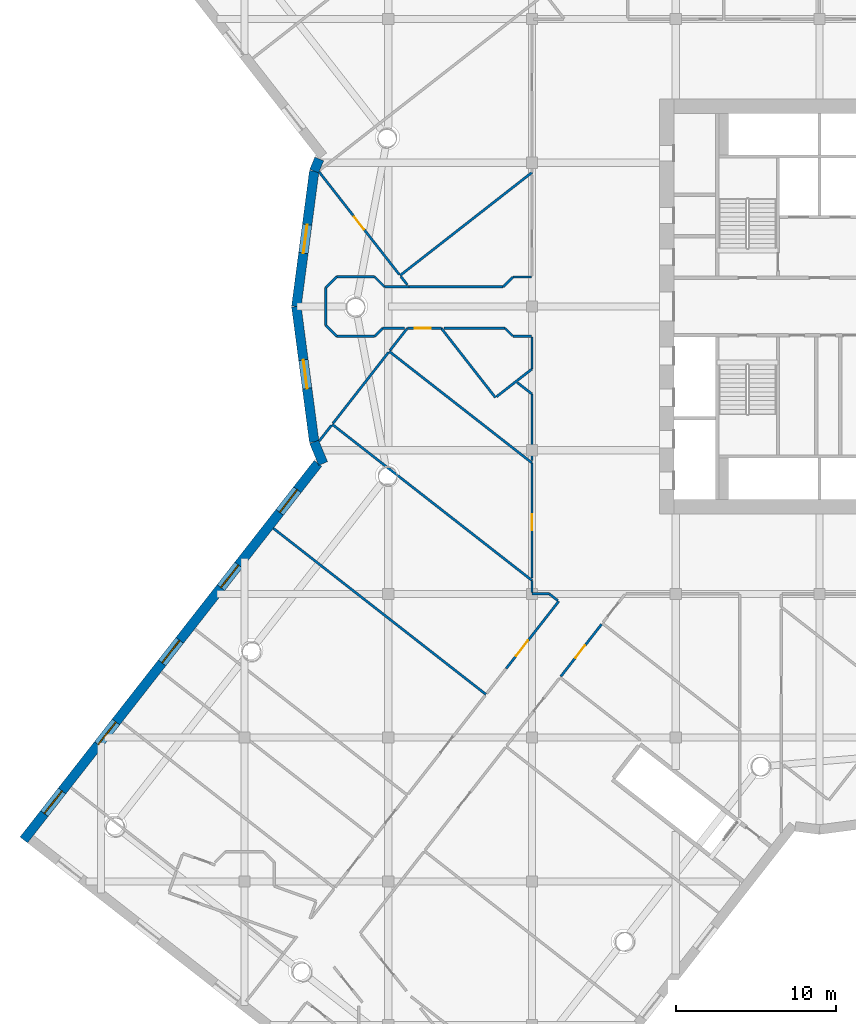
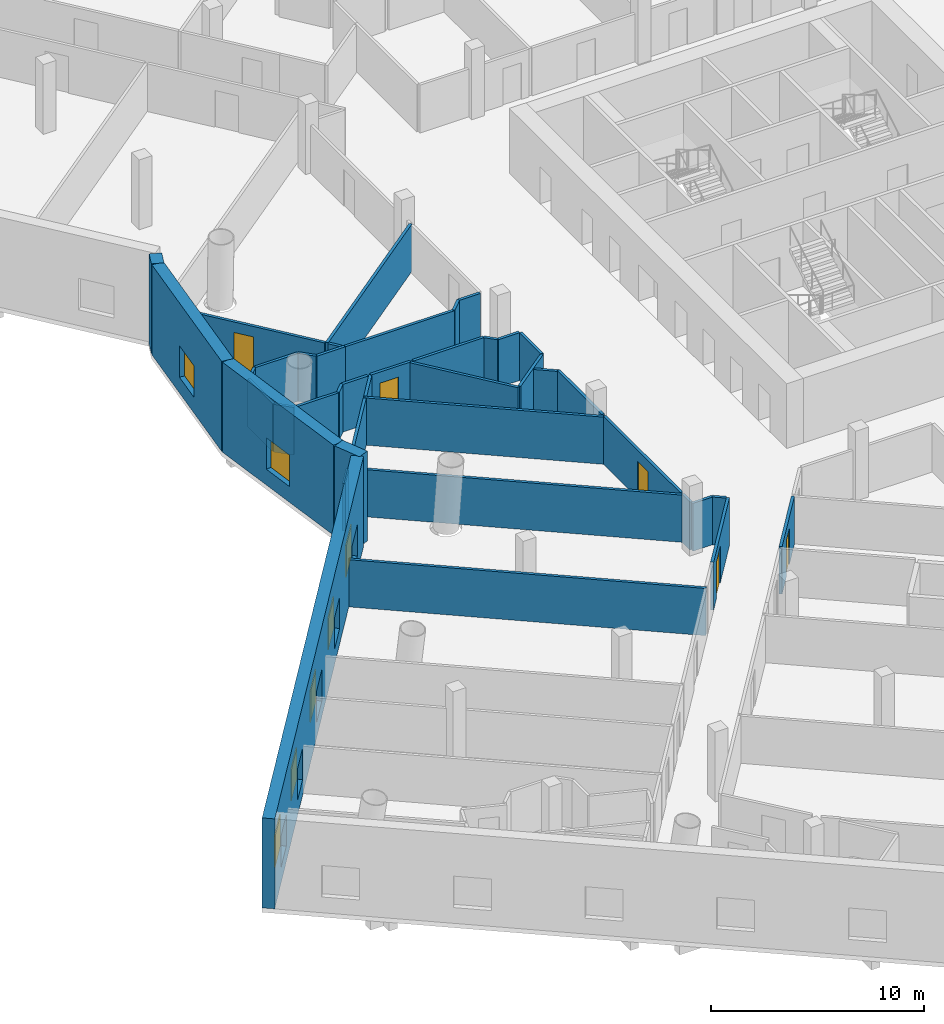
# One storey, part 6 of 15: 41 walls, 7 windows, 5 doors, 12 openings.
"""IFC4 building model written with IfcOpenShell, lengths in metres."""

from ifc_helpers import new_model, si_unit, direction, frame, frame_2d, origin, place, context, subcontext, project, spatial, rectangle, extrude, material, layer, layer_set, type_object, element, fill, save


model = new_model("IFC4")

# Units and contexts
model_context = context("Model", 3, precision=1e-05, world=origin(), true_north=direction((0.0, 1.0)))
body_context = subcontext(model_context, "Body", "Model", "MODEL_VIEW")
ifc_project = project(units=[si_unit("LENGTHUNIT", "METRE"), si_unit("AREAUNIT", "SQUARE_METRE"), si_unit("VOLUMEUNIT", "CUBIC_METRE"), si_unit("PLANEANGLEUNIT", "RADIAN"), si_unit("MASSUNIT", "GRAM", prefix="KILO")], contexts=[model_context])

# Site, building, storey
site_placement = place(None, origin())
site = spatial("IfcSite", under=ifc_project, at=site_placement, CompositionType="ELEMENT")
building_placement = place(site_placement, origin())
building = spatial("IfcBuilding", under=site, at=building_placement, Name="Tarsis Ring Headquarters", CompositionType="ELEMENT")
storey_placement = place(building_placement, frame((0.0, 0.0, 30.0)))
storey = spatial("IfcBuildingStorey", under=building, at=storey_placement, Name="L05", CompositionType="ELEMENT", Elevation=30.0)

# Walls
ifc_material_1 = material(Name="Plasterboard partition")
ifc_layer_1 = layer(ifc_material_1, 0.14990234375)
ifc_layer_set_1 = layer_set([ifc_layer_1], Name="PO-PW150")
wall_type_1 = type_object("IfcWallType", Name="PO-PW150", PredefinedType="PARTITIONING", material=ifc_layer_set_1)
wall_1_placement = place(storey_placement, frame((-34.20068359375, -13.88818359375, 0.0), z_axis=(0.0, 0.0, 1.0), x_axis=(0.788007728406, -0.615665347386, 0.0)))
element("IfcWall", 1, at=wall_1_placement, inside=storey, type_object=wall_type_1, Name="L05 partition wall 12", PredefinedType="PARTITIONING", context=body_context, shape_type="SweptSolid", body=[
    extrude(rectangle(XDim=16.900146484375, YDim=0.14990234375, at=frame_2d((8.4501953125, 0.0))), origin(), (0.0, 0.0, 1.0), 2.699951171875),
])
wall_2_placement = place(storey_placement, frame((-30.511474609375, -7.379638671875, 0.0), z_axis=(0.0, 0.0, 1.0), x_axis=(0.788007355599, -0.615665824552, 0.0)))
element("IfcWall", 2, at=wall_2_placement, inside=storey, type_object=wall_type_1, Name="L05 partition wall 14", PredefinedType="PARTITIONING", context=body_context, shape_type="SweptSolid", body=[
    extrude(rectangle(XDim=15.87744140625, YDim=0.14990234375, at=frame_2d((7.938720703125, 0.0))), origin(), (0.0, 0.0, 1.0), 2.699951171875),
])
wall_3_placement = place(storey_placement, frame((-18.0, -9.79443359375, 0.0), z_axis=(0.0, 0.0, 1.0), x_axis=(-0.788005126022, 0.615668678238, 0.0)))
element("IfcWall", 3, at=wall_3_placement, inside=storey, type_object=wall_type_1, Name="L05 partition wall 19", PredefinedType="PARTITIONING", context=body_context, shape_type="SweptSolid", body=[
    extrude(rectangle(XDim=11.345947265625, YDim=0.14990234375, at=frame_2d((5.6728515625, 0.0))), origin(), (0.0, 0.0, 1.0), 2.699951171875),
])
wall_4_placement = place(storey_placement, frame((-18.0, 8.3984375, 0.0), z_axis=(0.0, 0.0, 1.0), x_axis=(-0.788012725718, -0.61565895113, 0.0)))
element("IfcWall", 4, at=wall_4_placement, inside=storey, type_object=wall_type_1, Name="L05 partition wall 23", PredefinedType="PARTITIONING", context=body_context, shape_type="SweptSolid", body=[
    extrude(rectangle(XDim=10.486328125, YDim=0.14990234375, at=frame_2d((5.2431640625, 0.0))), origin(), (0.0, 0.0, 1.0), 2.699951171875),
])

# Wall, opening, door
wall_5_placement = place(storey_placement, frame((-31.335205078125, 8.43408203125, 0.0), z_axis=(0.0, 0.0, 1.0), x_axis=(0.615646364942, -0.788022558899, 0.0)))
wall_5 = element("IfcWall", 5, at=wall_5_placement, inside=storey, type_object=wall_type_1, Name="L05 partition wall 44", PredefinedType="PARTITIONING", context=body_context, shape_type="SweptSolid", body=[
    extrude(rectangle(XDim=8.157958984375, YDim=0.14990234375, at=frame_2d((4.0791015625, 0.0))), origin(), (0.0, 0.0, 1.0), 2.699951171875),
])
opening_1_placement = place(wall_5_placement, frame((3.56787109375, 0.0, 0.0)))
opening_1 = element("IfcOpeningElement", 6, at=opening_1_placement, cuts=wall_5, Name="Opening PO-D1A", PredefinedType="OPENING", context=body_context, shape_type="SweptSolid", body=[
    extrude(rectangle(XDim=1.0, YDim=2.10009765625, at=frame_2d((0.5, 1.050048828125))), frame((0.0, 0.0849609375, 0.0), z_axis=(0.0, -1.0, 0.0), x_axis=(1.0, 0.0, 0.0)), (0.0, 0.0, 1.0), 0.169921875),
])
ifc_material_2 = material(Name="Timber door", Category="wood")
door_type_1 = type_object("IfcDoorType", Name="PO-D1000-UNRATED", OperationType="NOTDEFINED", PredefinedType="DOOR", material=ifc_material_2)
door_1_placement = place(opening_1_placement, origin())
door_1 = element("IfcDoor", 7, at=door_1_placement, inside=storey, type_object=door_type_1, Name="Meeting room door", OperationType="SINGLE_SWING_RIGHT", OverallHeight=2.10009765625, OverallWidth=1.0, PredefinedType="DOOR", context=body_context, shape_type="SweptSolid", body=[
    extrude(rectangle(XDim=1.0, YDim=2.10009765625, at=frame_2d((0.5, 1.050048828125))), frame((0.0, 0.02490234375, 0.0), z_axis=(0.0, -1.0, 0.0), x_axis=(1.0, 0.0, 0.0)), (0.0, 0.0, 1.0), 0.050048828125),
])
fill(opening_1, door_1)

# Walls
wall_6_placement = place(storey_placement, frame((-26.989990234375, -2.872314453125, 0.0), z_axis=(0.0, 0.0, 1.0), x_axis=(-0.615647402132, -0.788021748588, 0.0)))
element("IfcWall", 8, at=wall_6_placement, inside=storey, type_object=wall_type_1, Name="L05 partition wall 65", PredefinedType="PARTITIONING", context=body_context, shape_type="SweptSolid", body=[
    extrude(rectangle(XDim=5.639892578125, YDim=0.14990234375, at=frame_2d((2.81982421875, 0.0))), origin(), (0.0, 0.0, 1.0), 2.699951171875),
])
wall_7_placement = place(storey_placement, frame((-23.6796875, -1.36474609375, 0.0), z_axis=(0.0, 0.0, 1.0), x_axis=(0.615662120384, -0.788010249631, 0.0)))
element("IfcWall", 9, at=wall_7_placement, inside=storey, type_object=wall_type_1, Name="L05 partition wall 66", PredefinedType="PARTITIONING", context=body_context, shape_type="SweptSolid", body=[
    extrude(rectangle(XDim=5.50341796875, YDim=0.14990234375, at=frame_2d((2.751708984375, 0.0))), origin(), (0.0, 0.0, 1.0), 2.699951171875),
])
wall_8_placement = place(storey_placement, frame((-20.228515625, -5.652099609375, 0.0), z_axis=(0.0, 0.0, 1.0), x_axis=(0.787992962022, 0.615684246838, 0.0)))
element("IfcWall", 10, at=wall_8_placement, inside=storey, type_object=wall_type_1, Name="L05 partition wall 105", PredefinedType="PARTITIONING", context=body_context, shape_type="SweptSolid", body=[
    extrude(rectangle(XDim=2.828125, YDim=0.14990234375, at=frame_2d((1.4140625, 0.0))), origin(), (0.0, 0.0, 1.0), 2.699951171875),
])
wall_9_placement = place(storey_placement, frame((-25.81201171875, -1.36474609375, 0.0), z_axis=(0.0, 0.0, 1.0), x_axis=(-0.615703497236, -0.787977920688, 0.0)))
element("IfcWall", 11, at=wall_9_placement, inside=storey, type_object=wall_type_1, Name="L05 partition wall 146", PredefinedType="PARTITIONING", context=body_context, shape_type="SweptSolid", body=[
    extrude(rectangle(XDim=1.7529296875, YDim=0.14990234375, at=frame_2d((0.87646484375, 0.0))), origin(), (0.0, 0.0, 1.0), 2.699951171875),
])
wall_10_placement = place(storey_placement, frame((-30.560791015625, -7.442626953125, 0.0), z_axis=(0.0, 0.0, 1.0), x_axis=(-0.615564954745, -0.788086154231, 0.0)))
element("IfcWall", 12, at=wall_10_placement, inside=storey, type_object=wall_type_1, Name="L05 partition wall 155", PredefinedType="PARTITIONING", context=body_context, shape_type="SweptSolid", body=[
    extrude(rectangle(XDim=1.258056640625, YDim=0.14990234375, at=frame_2d((0.62890625, 0.0))), origin(), (0.0, 0.0, 1.0), 2.699951171875),
])
wall_11_placement = place(storey_placement, frame((-18.0, -5.479736328125, 0.0), z_axis=(0.0, 0.0, 1.0), x_axis=(-0.788071745388, 0.615583401433, 0.0)))
element("IfcWall", 13, at=wall_11_placement, inside=storey, type_object=wall_type_1, Name="L05 partition wall 159", PredefinedType="PARTITIONING", context=body_context, shape_type="SweptSolid", body=[
    extrude(rectangle(XDim=1.171875, YDim=0.14990234375, at=frame_2d((0.5859375, 0.0))), origin(), (0.0, 0.0, 1.0), 2.699951171875),
])
wall_12_placement = place(storey_placement, frame((-26.214111328125, 1.87939453125, 0.0), z_axis=(0.0, 0.0, 1.0), x_axis=(0.615456621101, -0.788170760396, 0.0)))
element("IfcWall", 14, at=wall_12_placement, inside=storey, type_object=wall_type_1, Name="L05 partition wall 184", PredefinedType="PARTITIONING", context=body_context, shape_type="SweptSolid", body=[
    extrude(rectangle(XDim=0.6572265625, YDim=0.14990234375, at=frame_2d((0.32861328125, 0.0))), origin(), (0.0, 0.0, 1.0), 2.699951171875),
])

# Wall, opening, door
ifc_layer_2 = layer(ifc_material_1, 0.14990234375)
ifc_layer_set_2 = layer_set([ifc_layer_2], Name="PO-PW150R-2733")
wall_type_2 = type_object("IfcWallType", Name="PO-PW150R-2733", PredefinedType="PARTITIONING", material=ifc_layer_set_2)
wall_13_placement = place(storey_placement, frame((-18.0, -16.99462890625, 0.0), z_axis=(0.0, 0.0, 1.0), x_axis=(0.0, 1.0, 0.0)))
wall_13 = element("IfcWall", 15, at=wall_13_placement, inside=storey, type_object=wall_type_2, Name="L05 partition wall 50", PredefinedType="PARTITIONING", context=body_context, shape_type="SweptSolid", body=[
    extrude(rectangle(XDim=7.2001953125, YDim=0.14990234375, at=frame_2d((3.60009765625, 0.0))), origin(), (0.0, 0.0, 1.0), 2.73291015625),
])
opening_2_placement = place(wall_13_placement, frame((2.988525390625, 0.0, 0.0)))
opening_2 = element("IfcOpeningElement", 16, at=opening_2_placement, cuts=wall_13, Name="Opening PO-D1", PredefinedType="OPENING", context=body_context, shape_type="SweptSolid", body=[
    extrude(rectangle(XDim=1.0, YDim=2.10009765625, at=frame_2d((0.5, 1.050048828125))), frame((0.0, 0.0849609375, 0.0), z_axis=(0.0, -1.0, 0.0), x_axis=(1.0, 0.0, 0.0)), (0.0, 0.0, 1.0), 0.169921875),
])
door_type_2 = type_object("IfcDoorType", Name="PO-D1000", OperationType="NOTDEFINED", PredefinedType="DOOR", material=ifc_material_2)
door_2_placement = place(opening_2_placement, origin())
door_2 = element("IfcDoor", 17, at=door_2_placement, inside=storey, type_object=door_type_2, Name="Prayer storage door", OperationType="SINGLE_SWING_LEFT", OverallHeight=2.10009765625, OverallWidth=1.0, PredefinedType="DOOR", context=body_context, shape_type="SweptSolid", body=[
    extrude(rectangle(XDim=1.0, YDim=2.10009765625, at=frame_2d((0.5, 1.050048828125))), frame((0.0, 0.02490234375, 0.0), z_axis=(0.0, -1.0, 0.0), x_axis=(1.0, 0.0, 0.0)), (0.0, 0.0, 1.0), 0.050048828125),
])
fill(opening_2, door_2)

# Wall
wall_14_placement = place(storey_placement, frame((-25.7109375, 1.2353515625, 0.0), z_axis=(0.0, 0.0, 1.0), x_axis=(1.0, 0.0, 0.0)))
element("IfcWall", 18, at=wall_14_placement, inside=storey, type_object=wall_type_2, Name="L05 partition wall 63", PredefinedType="PARTITIONING", context=body_context, shape_type="SweptSolid", body=[
    extrude(rectangle(XDim=5.896240234375, YDim=0.14990234375, at=frame_2d((2.9482421875, 0.0))), origin(), (0.0, 0.0, 1.0), 2.73291015625),
])

# Wall, opening, door
wall_15_placement = place(storey_placement, frame((-19.620361328125, -22.676513671875, 0.0), z_axis=(0.0, 0.0, 1.0), x_axis=(0.615658214208, 0.78801330146, 0.0)))
wall_15 = element("IfcWall", 19, at=wall_15_placement, inside=storey, type_object=wall_type_2, Name="L05 partition wall 69", PredefinedType="PARTITIONING", context=body_context, shape_type="SweptSolid", body=[
    extrude(rectangle(XDim=5.3486328125, YDim=0.14990234375, at=frame_2d((2.67431640625, 0.0))), origin(), (0.0, 0.0, 1.0), 2.73291015625),
])
opening_3_placement = place(wall_15_placement, frame((1.018798828125, 0.0, 0.0)))
opening_3 = element("IfcOpeningElement", 20, at=opening_3_placement, cuts=wall_15, Name="Opening PO-D2", PredefinedType="OPENING", context=body_context, shape_type="SweptSolid", body=[
    extrude(rectangle(XDim=1.199951171875, YDim=2.10009765625, at=frame_2d((0.60009765625, 1.050048828125))), frame((0.0, 0.0849609375, 0.0), z_axis=(0.0, -1.0, 0.0), x_axis=(1.0, 0.0, 0.0)), (0.0, 0.0, 1.0), 0.169921875),
])
door_type_3 = type_object("IfcDoorType", Name="PO-D1200", OperationType="NOTDEFINED", PredefinedType="DOOR", material=ifc_material_2)
door_3_placement = place(opening_3_placement, origin())
door_3 = element("IfcDoor", 21, at=door_3_placement, inside=storey, type_object=door_type_3, Name="Men's prayer hall door", OperationType="SINGLE_SWING_RIGHT", OverallHeight=2.10009765625, OverallWidth=1.199951171875, PredefinedType="DOOR", context=body_context, shape_type="SweptSolid", body=[
    extrude(rectangle(XDim=1.199951171875, YDim=2.10009765625, at=frame_2d((0.60009765625, 1.050048828125))), frame((0.0, 0.02490234375, 0.0), z_axis=(0.0, -1.0, 0.0), x_axis=(1.0, 0.0, 0.0)), (0.0, 0.0, 1.0), 0.050048828125),
])
fill(opening_3, door_3)

# Wall
wall_16_placement = place(storey_placement, frame((-18.0, -9.634521484375, 0.0), z_axis=(0.0, 0.0, 1.0), x_axis=(0.0, 1.0, 0.0)))
element("IfcWall", 22, at=wall_16_placement, inside=storey, type_object=wall_type_2, Name="L05 partition wall 80", PredefinedType="PARTITIONING", context=body_context, shape_type="SweptSolid", body=[
    extrude(rectangle(XDim=4.15478515625, YDim=0.14990234375, at=frame_2d((2.077392578125, 0.0))), origin(), (0.0, 0.0, 1.0), 2.73291015625),
])

# Wall, opening, door
wall_17_placement = place(storey_placement, frame((-13.64306640625, -19.898681640625, 0.0), z_axis=(0.0, 0.0, 1.0), x_axis=(-0.615649763754, -0.788019903549, 0.0)))
wall_17 = element("IfcWall", 23, at=wall_17_placement, inside=storey, type_object=wall_type_2, Name="L05 partition wall 81", PredefinedType="PARTITIONING", context=body_context, shape_type="SweptSolid", body=[
    extrude(rectangle(XDim=4.14013671875, YDim=0.14990234375, at=frame_2d((2.070068359375, 0.0))), origin(), (0.0, 0.0, 1.0), 2.73291015625),
])
opening_4_placement = place(wall_17_placement, frame((1.669921875, 0.0, 0.0)))
opening_4 = element("IfcOpeningElement", 24, at=opening_4_placement, cuts=wall_17, Name="Opening PO-D1", PredefinedType="OPENING", context=body_context, shape_type="SweptSolid", body=[
    extrude(rectangle(XDim=1.0, YDim=2.10009765625, at=frame_2d((0.5, 1.050048828125))), frame((0.0, 0.0849609375, 0.0), z_axis=(0.0, -1.0, 0.0), x_axis=(1.0, 0.0, 0.0)), (0.0, 0.0, 1.0), 0.169921875),
])
door_4_placement = place(opening_4_placement, origin())
door_4 = element("IfcDoor", 25, at=door_4_placement, inside=storey, type_object=door_type_2, Name="Women's ablution room door", OperationType="SINGLE_SWING_RIGHT", OverallHeight=2.10009765625, OverallWidth=1.0, PredefinedType="DOOR", context=body_context, shape_type="SweptSolid", body=[
    extrude(rectangle(XDim=1.0, YDim=2.10009765625, at=frame_2d((0.5, 1.050048828125))), frame((0.0, 0.02490234375, 0.0), z_axis=(0.0, -1.0, 0.0), x_axis=(1.0, 0.0, 0.0)), (0.0, 0.0, 1.0), 0.050048828125),
])
fill(opening_4, door_4)

# Walls
wall_18_placement = place(storey_placement, frame((-19.685302734375, -1.36474609375, 0.0), z_axis=(0.0, 0.0, 1.0), x_axis=(-1.0, 0.0, 0.0)))
element("IfcWall", 26, at=wall_18_placement, inside=storey, type_object=wall_type_2, Name="L05 partition wall 88", PredefinedType="PARTITIONING", context=body_context, shape_type="SweptSolid", body=[
    extrude(rectangle(XDim=3.83447265625, YDim=0.14990234375, at=frame_2d((1.917236328125, 0.0))), origin(), (0.0, 0.0, 1.0), 2.73291015625),
])
for number, where, z_axis, x_axis, name in (
    (27, (-27.868408203125, -1.8701171875, 0.0), (0.0, 0.0, 1.0), (-1.0, 0.0, 0.0), "L05 partition wall 125"),
    (28, (-30.228515625, 1.8701171875, 0.0), (0.0, 0.0, 1.0), (1.0, 0.0, 0.0), "L05 partition wall 126"),
):
    element("IfcWall", number, at=place(storey_placement, frame(where, z_axis=z_axis, x_axis=x_axis)), inside=storey, type_object=wall_type_2, Name=name, PredefinedType="PARTITIONING", context=body_context, shape_type="SweptSolid", body=[
        extrude(rectangle(XDim=2.360107421875, YDim=0.14990234375, at=frame_2d((1.18017578125, 0.0))), origin(), (0.0, 0.0, 1.0), 2.73291015625),
    ])
wall_19_placement = place(storey_placement, frame((-30.91845703125, -1.179931640625, 0.0), z_axis=(0.0, 0.0, 1.0), x_axis=(0.0, 1.0, 0.0)))
element("IfcWall", 29, at=wall_19_placement, inside=storey, type_object=wall_type_2, Name="L05 partition wall 127", PredefinedType="PARTITIONING", context=body_context, shape_type="SweptSolid", body=[
    extrude(rectangle(XDim=2.35986328125, YDim=0.14990234375, at=frame_2d((1.179931640625, 0.0))), origin(), (0.0, 0.0, 1.0), 2.73291015625),
])

# Wall, opening, door
wall_20_placement = place(storey_placement, frame((-23.68115234375, -1.365966796875, 0.0), z_axis=(0.0, 0.0, 1.0), x_axis=(-0.999999835911, 0.000572868834, 0.0)))
wall_20 = element("IfcWall", 30, at=wall_20_placement, inside=storey, type_object=wall_type_2, Name="L05 partition wall 135", PredefinedType="PARTITIONING", context=body_context, shape_type="SweptSolid", body=[
    extrude(rectangle(XDim=2.130859375, YDim=0.14990234375, at=frame_2d((1.0654296875, 0.0))), origin(), (0.0, 0.0, 1.0), 2.73291015625),
])
opening_5_placement = place(wall_20_placement, frame((0.650146484375, 0.0, 0.0)))
opening_5 = element("IfcOpeningElement", 31, at=opening_5_placement, cuts=wall_20, Name="Opening PO-D1", PredefinedType="OPENING", context=body_context, shape_type="SweptSolid", body=[
    extrude(rectangle(XDim=1.0, YDim=2.10009765625, at=frame_2d((0.5, 1.050048828125))), frame((0.0, 0.0849609375, 0.0), z_axis=(0.0, -1.0, 0.0), x_axis=(1.0, 0.0, 0.0)), (0.0, 0.0, 1.0), 0.169921875),
])
door_5_placement = place(opening_5_placement, origin())
door_5 = element("IfcDoor", 32, at=door_5_placement, inside=storey, type_object=door_type_2, Name="Women's ablution room door", OperationType="SINGLE_SWING_RIGHT", OverallHeight=2.10009765625, OverallWidth=1.0, PredefinedType="DOOR", context=body_context, shape_type="SweptSolid", body=[
    extrude(rectangle(XDim=1.0, YDim=2.10009765625, at=frame_2d((0.5, 1.050048828125))), frame((0.0, 0.02490234375, 0.0), z_axis=(0.0, -1.0, 0.0), x_axis=(1.0, 0.0, 0.0)), (0.0, 0.0, 1.0), 0.050048828125),
])
fill(opening_5, door_5)

# Walls
wall_21_placement = place(storey_placement, frame((-18.0, -3.910888671875, 0.0), z_axis=(0.0, 0.0, 1.0), x_axis=(0.0, 1.0, 0.0)))
element("IfcWall", 33, at=wall_21_placement, inside=storey, type_object=wall_type_2, Name="L05 partition wall 140", PredefinedType="PARTITIONING", context=body_context, shape_type="SweptSolid", body=[
    extrude(rectangle(XDim=2.0009765625, YDim=0.14990234375, at=frame_2d((1.00048828125, 0.0))), origin(), (0.0, 0.0, 1.0), 2.73291015625),
])
wall_22_placement = place(storey_placement, frame((-25.973388671875, -1.36474609375, 0.0), z_axis=(0.0, 0.0, 1.0), x_axis=(-1.0, 0.0, 0.0)))
element("IfcWall", 34, at=wall_22_placement, inside=storey, type_object=wall_type_2, Name="L05 partition wall 149", PredefinedType="PARTITIONING", context=body_context, shape_type="SweptSolid", body=[
    extrude(rectangle(XDim=1.389892578125, YDim=0.14990234375, at=frame_2d((0.69482421875, 0.0))), origin(), (0.0, 0.0, 1.0), 2.73291015625),
])
wall_23_placement = place(storey_placement, frame((-27.23388671875, 1.2353515625, 0.0), z_axis=(0.0, 0.0, 1.0), x_axis=(1.0, 0.0, 0.0)))
element("IfcWall", 35, at=wall_23_placement, inside=storey, type_object=wall_type_2, Name="L05 partition wall 150", PredefinedType="PARTITIONING", context=body_context, shape_type="SweptSolid", body=[
    extrude(rectangle(XDim=1.521728515625, YDim=0.14990234375, at=frame_2d((0.7607421875, 0.0))), origin(), (0.0, 0.0, 1.0), 2.73291015625),
])
for number, where, z_axis, x_axis, name in (
    (36, (-19.199951171875, 1.85009765625, 0.0), (0.0, 0.0, 1.0), (1.0, 0.0, 0.0), "L05 partition wall 165"),
    (37, (-18.0400390625, -1.85009765625, 0.0), (0.0, 0.0, 1.0), (-1.0, 0.0, 0.0), "L05 partition wall 166"),
):
    element("IfcWall", number, at=place(storey_placement, frame(where, z_axis=z_axis, x_axis=x_axis)), inside=storey, type_object=wall_type_2, Name=name, PredefinedType="PARTITIONING", context=body_context, shape_type="SweptSolid", body=[
        extrude(rectangle(XDim=1.159912109375, YDim=0.14990234375, at=frame_2d((0.580078125, 0.0))), origin(), (0.0, 0.0, 1.0), 2.73291015625),
    ])
wall_24_placement = place(storey_placement, frame((-16.91796875, -18.0, 0.0), z_axis=(0.0, 0.0, 1.0), x_axis=(-1.0, 0.0, 0.0)))
element("IfcWall", 38, at=wall_24_placement, inside=storey, type_object=wall_type_2, Name="L05 partition wall 170", PredefinedType="PARTITIONING", context=body_context, shape_type="SweptSolid", body=[
    extrude(rectangle(XDim=1.08203125, YDim=0.14990234375, at=frame_2d((0.541015625, 0.0))), origin(), (0.0, 0.0, 1.0), 2.73291015625),
])
for number, where, z_axis, x_axis, name in (
    (39, (-30.228515625, -1.8701171875, 0.0), (0.0, 0.0, 1.0), (-0.706981684899, 0.707231855347, 0.0), "L05 partition wall 173"),
    (40, (-30.91845703125, 1.179931640625, 0.0), (0.0, 0.0, 1.0), (0.706981684899, 0.707231855347, 0.0), "L05 partition wall 174"),
):
    element("IfcWall", number, at=place(storey_placement, frame(where, z_axis=z_axis, x_axis=x_axis)), inside=storey, type_object=wall_type_2, Name=name, PredefinedType="PARTITIONING", context=body_context, shape_type="SweptSolid", body=[
        extrude(rectangle(XDim=0.975830078125, YDim=0.14990234375, at=frame_2d((0.48779296875, 0.0))), origin(), (0.0, 0.0, 1.0), 2.73291015625),
    ])
wall_25_placement = place(storey_placement, frame((-27.868408203125, 1.8701171875, 0.0), z_axis=(0.0, 0.0, 1.0), x_axis=(0.70697075988, -0.707242776333, 0.0)))
element("IfcWall", 41, at=wall_25_placement, inside=storey, type_object=wall_type_2, Name="L05 partition wall 183", PredefinedType="PARTITIONING", context=body_context, shape_type="SweptSolid", body=[
    extrude(rectangle(XDim=0.8974609375, YDim=0.14990234375, at=frame_2d((0.44873046875, 0.0))), origin(), (0.0, 0.0, 1.0), 2.73291015625),
])
wall_26_placement = place(storey_placement, frame((-19.814697265625, 1.2353515625, 0.0), z_axis=(0.0, 0.0, 1.0), x_axis=(0.707106781187, 0.707106781187, 0.0)))
element("IfcWall", 42, at=wall_26_placement, inside=storey, type_object=wall_type_2, Name="L05 partition wall 185", PredefinedType="PARTITIONING", context=body_context, shape_type="SweptSolid", body=[
    extrude(rectangle(XDim=0.869384765625, YDim=0.14990234375, at=frame_2d((0.4345703125, 0.0))), origin(), (0.0, 0.0, 1.0), 2.73291015625),
])
wall_27_placement = place(storey_placement, frame((-18.0, -17.919921875, 0.0), z_axis=(0.0, 0.0, 1.0), x_axis=(0.0, 1.0, 0.0)))
element("IfcWall", 43, at=wall_27_placement, inside=storey, type_object=wall_type_2, Name="L05 partition wall 187", PredefinedType="PARTITIONING", context=body_context, shape_type="SweptSolid", body=[
    extrude(rectangle(XDim=0.76513671875, YDim=0.14990234375, at=frame_2d((0.382568359375, 0.0))), origin(), (0.0, 0.0, 1.0), 2.73291015625),
])
wall_28_placement = place(storey_placement, frame((-16.390380859375, -18.412353515625, 0.0), z_axis=(0.0, 0.0, 1.0), x_axis=(-0.78789722284, 0.61580676047, 0.0)))
element("IfcWall", 44, at=wall_28_placement, inside=storey, type_object=wall_type_2, Name="L05 partition wall 189", PredefinedType="PARTITIONING", context=body_context, shape_type="SweptSolid", body=[
    extrude(rectangle(XDim=0.669677734375, YDim=0.14990234375, at=frame_2d((0.3349609375, 0.0))), origin(), (0.0, 0.0, 1.0), 2.73291015625),
])
wall_29_placement = place(storey_placement, frame((-27.36328125, -1.36474609375, 0.0), z_axis=(0.0, 0.0, 1.0), x_axis=(-0.706935920549, -0.707277600549, 0.0)))
element("IfcWall", 45, at=wall_29_placement, inside=storey, type_object=wall_type_2, Name="L05 partition wall 190", PredefinedType="PARTITIONING", context=body_context, shape_type="SweptSolid", body=[
    extrude(rectangle(XDim=0.714599609375, YDim=0.14990234375, at=frame_2d((0.357421875, 0.0))), origin(), (0.0, 0.0, 1.0), 2.73291015625),
])
wall_30_placement = place(storey_placement, frame((-19.199951171875, -1.85009765625, 0.0), z_axis=(0.0, 0.0, 1.0), x_axis=(-0.707106781187, 0.707106781187, 0.0)))
element("IfcWall", 46, at=wall_30_placement, inside=storey, type_object=wall_type_2, Name="L05 partition wall 191", PredefinedType="PARTITIONING", context=body_context, shape_type="SweptSolid", body=[
    extrude(rectangle(XDim=0.686279296875, YDim=0.14990234375, at=frame_2d((0.34326171875, 0.0))), origin(), (0.0, 0.0, 1.0), 2.73291015625),
])
ifc_material_3 = material(Name="Concrete C60/75", Category="concrete")
ifc_layer_3 = layer(ifc_material_3, 0.60009765625)
ifc_layer_set_3 = layer_set([ifc_layer_3], Name="PO-W600P")
wall_type_3 = type_object("IfcWallType", Name="PO-W600P", PredefinedType="SOLIDWALL", material=ifc_layer_set_3)
wall_31_placement = place(storey_placement, frame((-31.325927734375, 9.24072265625, 0.0), z_axis=(0.0, 0.0, 1.0), x_axis=(-0.382534701942, -0.923941124645, 0.0)))
element("IfcWall", 47, at=wall_31_placement, inside=storey, type_object=wall_type_3, Name="L05 external wall 2", PredefinedType="SOLIDWALL", context=body_context, shape_type="SweptSolid", body=[
    extrude(rectangle(XDim=0.8251953125, YDim=0.60009765625, at=frame_2d((0.41259765625, 0.0))), origin(), (0.0, 0.0, 1.0), 5.14990234375),
])

# Wall, opening, window
wall_32_placement = place(storey_placement, frame((-31.6416015625, 8.478271484375, 0.0), z_axis=(0.0, 0.0, 1.0), x_axis=(-0.130529102837, -0.991444478179, 0.0)))
wall_32 = element("IfcWall", 48, at=wall_32_placement, inside=storey, type_object=wall_type_3, Name="L05 external wall 3", PredefinedType="SOLIDWALL", context=body_context, shape_type="SweptSolid", body=[
    extrude(rectangle(XDim=8.551513671875, YDim=0.60009765625, at=frame_2d((4.27587890625, 0.0))), origin(), (0.0, 0.0, 1.0), 5.14990234375),
])
opening_6_placement = place(wall_32_placement, frame((3.375732421875, 0.0, 0.89990234375)))
opening_6 = element("IfcOpeningElement", 49, at=opening_6_placement, cuts=wall_32, Name="Opening PO-WN147", PredefinedType="OPENING", context=body_context, shape_type="SweptSolid", body=[
    extrude(rectangle(XDim=1.800048828125, YDim=1.802978515625, at=frame_2d((0.89990234375, 0.9013671875))), frame((0.0, 0.31005859375, 0.0), z_axis=(0.0, -1.0, 0.0), x_axis=(1.0, 0.0, 0.0)), (0.0, 0.0, 1.0), 0.6201171875),
])
ifc_material_4 = material(Name="Double glazing", Category="glass")
window_type = type_object("IfcWindowType", Name="PO-WN1800-1803", PartitioningType="SINGLE_PANEL", PredefinedType="WINDOW", material=ifc_material_4)
window_1_placement = place(opening_6_placement, origin())
window_1 = element("IfcWindow", 50, at=window_1_placement, inside=storey, type_object=window_type, Name="L05 window 3.1", OverallHeight=1.802978515625, OverallWidth=1.800048828125, PartitioningType="SINGLE_PANEL", PredefinedType="WINDOW", context=body_context, shape_type="SweptSolid", body=[
    extrude(rectangle(XDim=1.800048828125, YDim=1.802978515625, at=frame_2d((0.89990234375, 0.9013671875))), frame((0.0, 0.030029296875, 0.0), z_axis=(0.0, -1.0, 0.0), x_axis=(1.0, 0.0, 0.0)), (0.0, 0.0, 1.0), 0.06005859375),
])
fill(opening_6, window_1)

wall_33_placement = place(storey_placement, frame((-32.7578125, 0.0, 0.0), z_axis=(0.0, 0.0, 1.0), x_axis=(0.130529102837, -0.991444478179, 0.0)))
wall_33 = element("IfcWall", 51, at=wall_33_placement, inside=storey, type_object=wall_type_3, Name="L05 external wall 4", PredefinedType="SOLIDWALL", context=body_context, shape_type="SweptSolid", body=[
    extrude(rectangle(XDim=8.551513671875, YDim=0.60009765625, at=frame_2d((4.27587890625, 0.0))), origin(), (0.0, 0.0, 1.0), 5.14990234375),
])
opening_7_placement = place(wall_33_placement, frame((3.375732421875, 0.0, 0.89990234375)))
opening_7 = element("IfcOpeningElement", 52, at=opening_7_placement, cuts=wall_33, Name="Opening PO-WN147", PredefinedType="OPENING", context=body_context, shape_type="SweptSolid", body=[
    extrude(rectangle(XDim=1.800048828125, YDim=1.802978515625, at=frame_2d((0.89990234375, 0.9013671875))), frame((0.0, 0.31005859375, 0.0), z_axis=(0.0, -1.0, 0.0), x_axis=(1.0, 0.0, 0.0)), (0.0, 0.0, 1.0), 0.6201171875),
])
window_2_placement = place(opening_7_placement, origin())
window_2 = element("IfcWindow", 53, at=window_2_placement, inside=storey, type_object=window_type, Name="L05 window 4.1", OverallHeight=1.802978515625, OverallWidth=1.800048828125, PartitioningType="SINGLE_PANEL", PredefinedType="WINDOW", context=body_context, shape_type="SweptSolid", body=[
    extrude(rectangle(XDim=1.800048828125, YDim=1.802978515625, at=frame_2d((0.89990234375, 0.9013671875))), frame((0.0, 0.030029296875, 0.0), z_axis=(0.0, -1.0, 0.0), x_axis=(1.0, 0.0, 0.0)), (0.0, 0.0, 1.0), 0.06005859375),
])
fill(opening_7, window_2)

# Wall
wall_34_placement = place(storey_placement, frame((-31.6416015625, -8.478271484375, 0.0), z_axis=(0.0, 0.0, 1.0), x_axis=(0.382709854909, -0.923868587493, 0.0)))
element("IfcWall", 54, at=wall_34_placement, inside=storey, type_object=wall_type_3, Name="L05 external wall 5", PredefinedType="SOLIDWALL", context=body_context, shape_type="SweptSolid", body=[
    extrude(rectangle(XDim=1.46533203125, YDim=0.60009765625, at=frame_2d((0.732666015625, 0.0))), origin(), (0.0, 0.0, 1.0), 5.14990234375),
])

# Wall, openings, windows
wall_35_placement = place(storey_placement, frame((-31.405029296875, -9.82275390625, 0.0), z_axis=(0.0, 0.0, 1.0), x_axis=(-0.615662407014, -0.788010025691, 0.0)))
wall_35 = element("IfcWall", 55, at=wall_35_placement, inside=storey, type_object=wall_type_3, Name="L05 external wall 6", PredefinedType="SOLIDWALL", context=body_context, shape_type="SweptSolid", body=[
    extrude(rectangle(XDim=29.9248046875, YDim=0.60009765625, at=frame_2d((14.96240234375, 0.0))), origin(), (0.0, 0.0, 1.0), 5.14990234375),
])
opening_8_placement = place(wall_35_placement, frame((2.092529296875, 0.0, 0.89990234375)))
opening_8 = element("IfcOpeningElement", 56, at=opening_8_placement, cuts=wall_35, Name="Opening PO-WN147", PredefinedType="OPENING", context=body_context, shape_type="SweptSolid", body=[
    extrude(rectangle(XDim=1.800048828125, YDim=1.802978515625, at=frame_2d((0.89990234375, 0.9013671875))), frame((0.0, 0.31005859375, 0.0), z_axis=(0.0, -1.0, 0.0), x_axis=(1.0, 0.0, 0.0)), (0.0, 0.0, 1.0), 0.6201171875),
])
opening_9_placement = place(wall_35_placement, frame((8.077392578125, 0.0, 0.89990234375)))
opening_9 = element("IfcOpeningElement", 57, at=opening_9_placement, cuts=wall_35, Name="Opening PO-WN147", PredefinedType="OPENING", context=body_context, shape_type="SweptSolid", body=[
    extrude(rectangle(XDim=1.800048828125, YDim=1.802978515625, at=frame_2d((0.89990234375, 0.9013671875))), frame((0.0, 0.31005859375, 0.0), z_axis=(0.0, -1.0, 0.0), x_axis=(1.0, 0.0, 0.0)), (0.0, 0.0, 1.0), 0.6201171875),
])
opening_10_placement = place(wall_35_placement, frame((14.062255859375, 0.0, 0.89990234375)))
opening_10 = element("IfcOpeningElement", 58, at=opening_10_placement, cuts=wall_35, Name="Opening PO-WN147", PredefinedType="OPENING", context=body_context, shape_type="SweptSolid", body=[
    extrude(rectangle(XDim=1.800048828125, YDim=1.802978515625, at=frame_2d((0.89990234375, 0.9013671875))), frame((0.0, 0.31005859375, 0.0), z_axis=(0.0, -1.0, 0.0), x_axis=(1.0, 0.0, 0.0)), (0.0, 0.0, 1.0), 0.6201171875),
])
opening_11_placement = place(wall_35_placement, frame((20.54736328125, 0.0, 0.89990234375)))
opening_11 = element("IfcOpeningElement", 59, at=opening_11_placement, cuts=wall_35, Name="Opening PO-WN147", PredefinedType="OPENING", context=body_context, shape_type="SweptSolid", body=[
    extrude(rectangle(XDim=1.800048828125, YDim=1.802978515625, at=frame_2d((0.89990234375, 0.9013671875))), frame((0.0, 0.31005859375, 0.0), z_axis=(0.0, -1.0, 0.0), x_axis=(1.0, 0.0, 0.0)), (0.0, 0.0, 1.0), 0.6201171875),
])
opening_12_placement = place(wall_35_placement, frame((26.0322265625, 0.0, 0.89990234375)))
opening_12 = element("IfcOpeningElement", 60, at=opening_12_placement, cuts=wall_35, Name="Opening PO-WN147", PredefinedType="OPENING", context=body_context, shape_type="SweptSolid", body=[
    extrude(rectangle(XDim=1.800048828125, YDim=1.802978515625, at=frame_2d((0.89990234375, 0.9013671875))), frame((0.0, 0.31005859375, 0.0), z_axis=(0.0, -1.0, 0.0), x_axis=(1.0, 0.0, 0.0)), (0.0, 0.0, 1.0), 0.6201171875),
])
window_3_placement = place(opening_8_placement, origin())
window_3 = element("IfcWindow", 61, at=window_3_placement, inside=storey, type_object=window_type, Name="L05 window 6.1", OverallHeight=1.802978515625, OverallWidth=1.800048828125, PartitioningType="SINGLE_PANEL", PredefinedType="WINDOW", context=body_context, shape_type="SweptSolid", body=[
    extrude(rectangle(XDim=1.800048828125, YDim=1.802978515625, at=frame_2d((0.89990234375, 0.9013671875))), frame((0.0, 0.030029296875, 0.0), z_axis=(0.0, -1.0, 0.0), x_axis=(1.0, 0.0, 0.0)), (0.0, 0.0, 1.0), 0.06005859375),
])
fill(opening_8, window_3)
window_4_placement = place(opening_9_placement, origin())
window_4 = element("IfcWindow", 62, at=window_4_placement, inside=storey, type_object=window_type, Name="L05 window 6.2", OverallHeight=1.802978515625, OverallWidth=1.800048828125, PartitioningType="SINGLE_PANEL", PredefinedType="WINDOW", context=body_context, shape_type="SweptSolid", body=[
    extrude(rectangle(XDim=1.800048828125, YDim=1.802978515625, at=frame_2d((0.89990234375, 0.9013671875))), frame((0.0, 0.030029296875, 0.0), z_axis=(0.0, -1.0, 0.0), x_axis=(1.0, 0.0, 0.0)), (0.0, 0.0, 1.0), 0.06005859375),
])
fill(opening_9, window_4)
window_5_placement = place(opening_10_placement, origin())
window_5 = element("IfcWindow", 63, at=window_5_placement, inside=storey, type_object=window_type, Name="L05 window 6.3", OverallHeight=1.802978515625, OverallWidth=1.800048828125, PartitioningType="SINGLE_PANEL", PredefinedType="WINDOW", context=body_context, shape_type="SweptSolid", body=[
    extrude(rectangle(XDim=1.800048828125, YDim=1.802978515625, at=frame_2d((0.89990234375, 0.9013671875))), frame((0.0, 0.030029296875, 0.0), z_axis=(0.0, -1.0, 0.0), x_axis=(1.0, 0.0, 0.0)), (0.0, 0.0, 1.0), 0.06005859375),
])
fill(opening_10, window_5)
window_6_placement = place(opening_11_placement, origin())
window_6 = element("IfcWindow", 64, at=window_6_placement, inside=storey, type_object=window_type, Name="L05 window 6.4", OverallHeight=1.802978515625, OverallWidth=1.800048828125, PartitioningType="SINGLE_PANEL", PredefinedType="WINDOW", context=body_context, shape_type="SweptSolid", body=[
    extrude(rectangle(XDim=1.800048828125, YDim=1.802978515625, at=frame_2d((0.89990234375, 0.9013671875))), frame((0.0, 0.030029296875, 0.0), z_axis=(0.0, -1.0, 0.0), x_axis=(1.0, 0.0, 0.0)), (0.0, 0.0, 1.0), 0.06005859375),
])
fill(opening_11, window_6)
window_7_placement = place(opening_12_placement, origin())
window_7 = element("IfcWindow", 65, at=window_7_placement, inside=storey, type_object=window_type, Name="L05 window 6.5", OverallHeight=1.802978515625, OverallWidth=1.800048828125, PartitioningType="SINGLE_PANEL", PredefinedType="WINDOW", context=body_context, shape_type="SweptSolid", body=[
    extrude(rectangle(XDim=1.800048828125, YDim=1.802978515625, at=frame_2d((0.89990234375, 0.9013671875))), frame((0.0, 0.030029296875, 0.0), z_axis=(0.0, -1.0, 0.0), x_axis=(1.0, 0.0, 0.0)), (0.0, 0.0, 1.0), 0.06005859375),
])
fill(opening_12, window_7)

save(model, "model.ifc")
